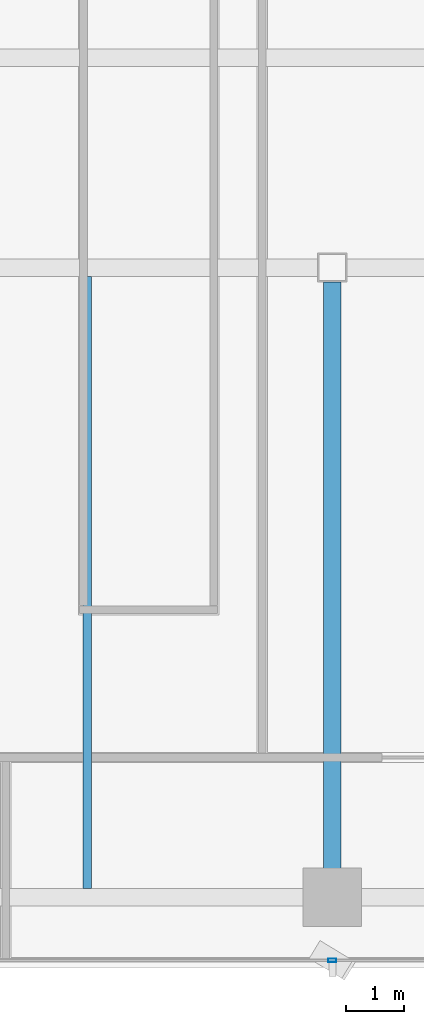
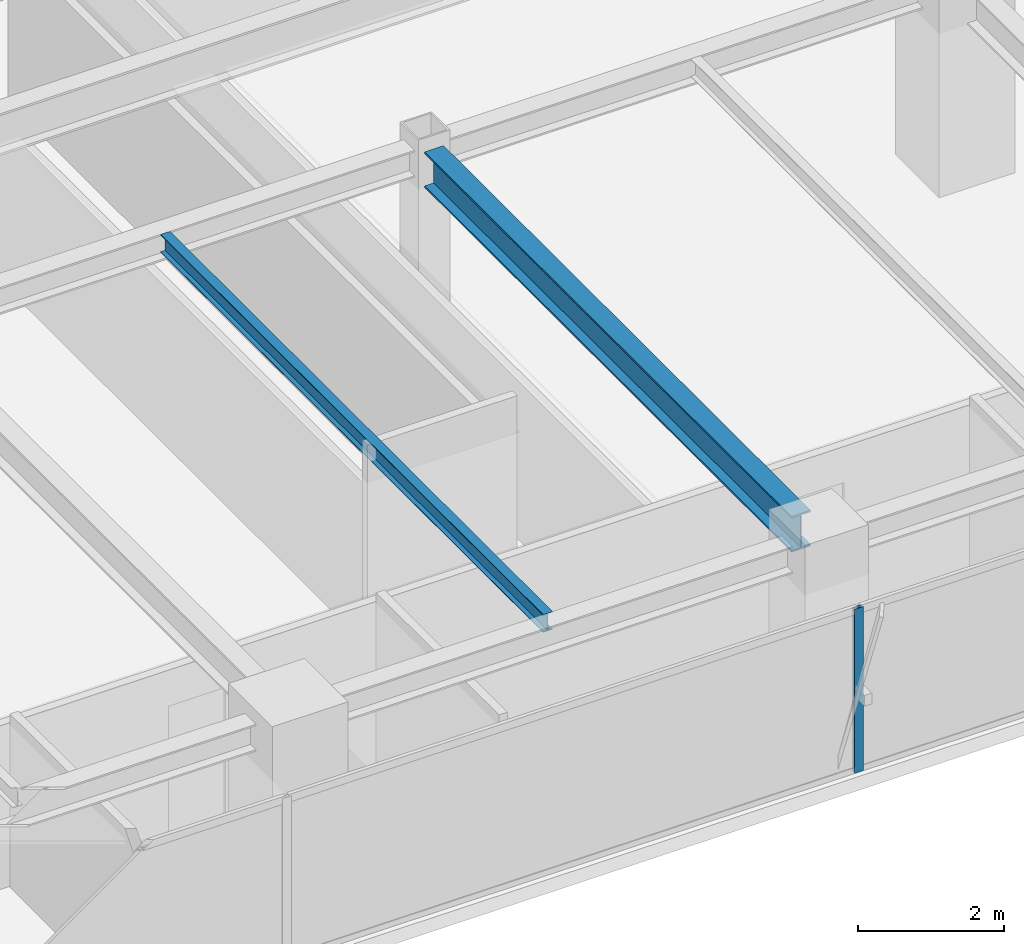
# One storey, part 6 of 25: 2 beams, 1 member, 1 element without a shape of its own.
"""IFC4 building model written with IfcOpenShell, lengths in metres."""

from ifc_helpers import new_model, si_unit, direction, frame, origin, origin_2d, place, context, subcontext, project, spatial, hollow_rectangle, i_section, extrude, source, transform, mapped, material, layer, layer_set, material_profile, profile_set, type_object, element, aggregate, save


model = new_model("IFC4")

# Units and contexts
model_context = context("Model", 3, precision=1e-05, world=origin(), true_north=direction((0.0, 1.0)))
body_context = subcontext(model_context, "Body", "Model", "MODEL_VIEW")
ifc_project = project(units=[si_unit("LENGTHUNIT", "METRE"), si_unit("AREAUNIT", "SQUARE_METRE"), si_unit("VOLUMEUNIT", "CUBIC_METRE"), si_unit("PLANEANGLEUNIT", "RADIAN"), si_unit("MASSUNIT", "GRAM", prefix="KILO")], contexts=[model_context])

# Site, building, storey
site_placement = place(None, origin())
site = spatial("IfcSite", under=ifc_project, at=site_placement, CompositionType="ELEMENT")
building_placement = place(site_placement, origin())
building = spatial("IfcBuilding", under=site, at=building_placement, Name="Sumidabori Civic Tower", CompositionType="ELEMENT")
storey_placement = place(building_placement, frame((0.0, 0.0, 239.60009765625)))
storey = spatial("IfcBuildingStorey", under=building, at=storey_placement, Name="L62", CompositionType="ELEMENT", Elevation=239.60009765625)

# Beams
ifc_material_1 = material(Name="Steel SN490", Category="steel")
ifc_material_profile_1 = material_profile(ifc_material_1, i_section(OverallWidth=0.300048828125, OverallDepth=0.60009765625, WebThickness=0.015380859375, FlangeThickness=0.030029296875, at=origin_2d()), Name="HE 600 B")
ifc_profile_set_1 = profile_set([ifc_material_profile_1], Name="Steel SN490")
beam_type_1 = type_object("IfcBeamType", Name="BM-GIRD-600", PredefinedType="BEAM", material=ifc_profile_set_1)
shared_shape_1 = source(origin(), body_context, "Body", "SweptSolid", [
    extrude(i_section(OverallWidth=0.300048828125, OverallDepth=0.60009765625, WebThickness=0.015380859375, FlangeThickness=0.030029296875, at=origin_2d()), origin(), (0.0, 0.0, 1.0), 10.070068359375),
])
beam_1_placement = place(storey_placement, frame((0.0, -10.320068359375, 3.06982421875), z_axis=(0.0, 1.0, 0.0), x_axis=(-1.0, 0.0, 0.0)))
element("IfcBeam", 1, at=beam_1_placement, inside=storey, type_object=beam_type_1, Name="Primary Girder L62 GY-13", PredefinedType="BEAM", context=body_context, shape_type="MappedRepresentation", body=[
    mapped(shared_shape_1, transform((0.0, 0.0, 0.0), x_axis=(1.0, 0.0, 0.0), y_axis=(0.0, 1.0, 0.0), z_axis=(0.0, 0.0, 1.0), scale=1.0)),
])
ifc_material_profile_2 = material_profile(ifc_material_1, i_section(OverallWidth=0.14990234375, OverallDepth=0.300048828125, WebThickness=0.007080078125, FlangeThickness=0.0107421875, at=origin_2d()), Name="IPE 300")
ifc_profile_set_2 = profile_set([ifc_material_profile_2], Name="Steel SN490")
beam_type_2 = type_object("IfcBeamType", Name="BM-JST-300", PredefinedType="JOIST", material=ifc_profile_set_2)
shared_shape_2 = source(origin(), body_context, "Body", "SweptSolid", [
    extrude(i_section(OverallWidth=0.14990234375, OverallDepth=0.300048828125, WebThickness=0.007080078125, FlangeThickness=0.0107421875, at=origin_2d()), origin(), (0.0, 0.0, 1.0), 10.5),
])
beam_2_placement = place(storey_placement, frame((-4.199951171875, -10.64990234375, 3.219970703125), z_axis=(0.0, 1.0, 0.0), x_axis=(-1.0, 0.0, 0.0)))
element("IfcBeam", 2, at=beam_2_placement, inside=storey, type_object=beam_type_2, Name="Upper Lens N-S Floor Joist L62 JSTV-21", PredefinedType="JOIST", context=body_context, shape_type="MappedRepresentation", body=[
    mapped(shared_shape_2, transform((0.0, 0.0, 0.0), x_axis=(1.0, 0.0, 0.0), y_axis=(0.0, 1.0, 0.0), z_axis=(0.0, 0.0, 1.0), scale=1.0)),
])

# Curtain wall, member
ifc_material_2 = material(Name="Anodised Bronze Aluminium AW-6063-T6", Category="aluminium")
ifc_layer = layer(ifc_material_2, 0.179931640625, Name="Anodised Bronze Aluminium AW-6063-T6")
ifc_layer_set = layer_set([ifc_layer], Name="Anodised Bronze Aluminium AW-6063-T6")
curtain_wall_type = type_object("IfcCurtainWallType", Name="CW-SYS-5", PredefinedType="NOTDEFINED", material=ifc_layer_set)
curtain_wall_placement = place(storey_placement, origin())
curtain_wall = element("IfcCurtainWall", 3, at=curtain_wall_placement, inside=storey, type_object=curtain_wall_type, Name="Curtain Wall CW:L62:R01", PredefinedType="NOTDEFINED")
ifc_material_profile_3 = material_profile(ifc_material_2, hollow_rectangle(XDim=0.06005859375, YDim=0.139892578125, WallThickness=0.0048828125, at=origin_2d()), Name="ALU MULLION 140x60")
ifc_profile_set_3 = profile_set([ifc_material_profile_3], Name="Anodised Bronze Aluminium AW-6063-T6")
member_type = type_object("IfcMemberType", Name="CW-MUL-140", PredefinedType="MULLION", material=ifc_profile_set_3)
shared_shape_3 = source(origin(), body_context, "Body", "SweptSolid", [
    extrude(hollow_rectangle(XDim=0.06005859375, YDim=0.139892578125, WallThickness=0.0048828125, at=origin_2d()), origin(), (0.0, 0.0, 1.0), 2.75),
])
member_placement = place(storey_placement, frame((0.0, -11.8798828125, 0.0), z_axis=(0.0, 0.0, 1.0), x_axis=(0.0, 1.0, 0.0)))
member = element("IfcMember", 4, at=member_placement, type_object=member_type, Name="CW-5 mullion 3", PredefinedType="MULLION", context=body_context, shape_type="MappedRepresentation", body=[
    mapped(shared_shape_3, transform((0.0, 0.0, 0.0), x_axis=(1.0, 0.0, 0.0), y_axis=(0.0, 1.0, 0.0), z_axis=(0.0, 0.0, 1.0), scale=1.0)),
])
aggregate(curtain_wall, [member])

save(model, "model.ifc")
